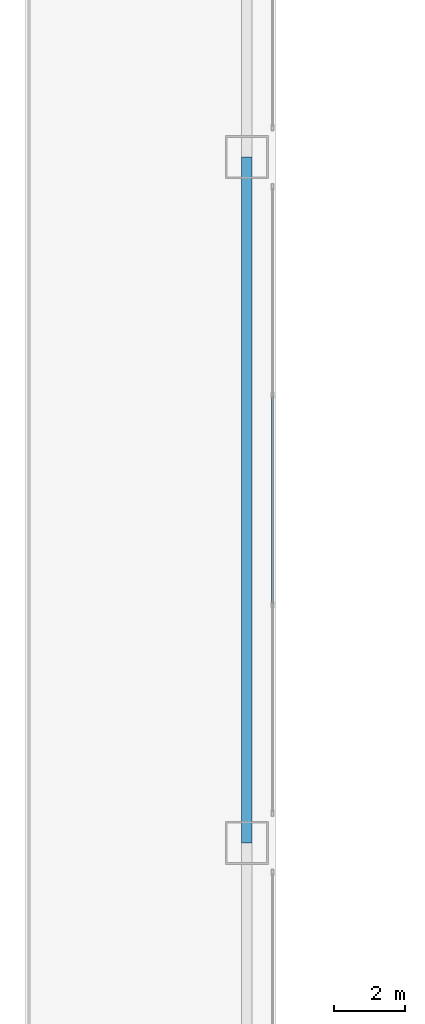
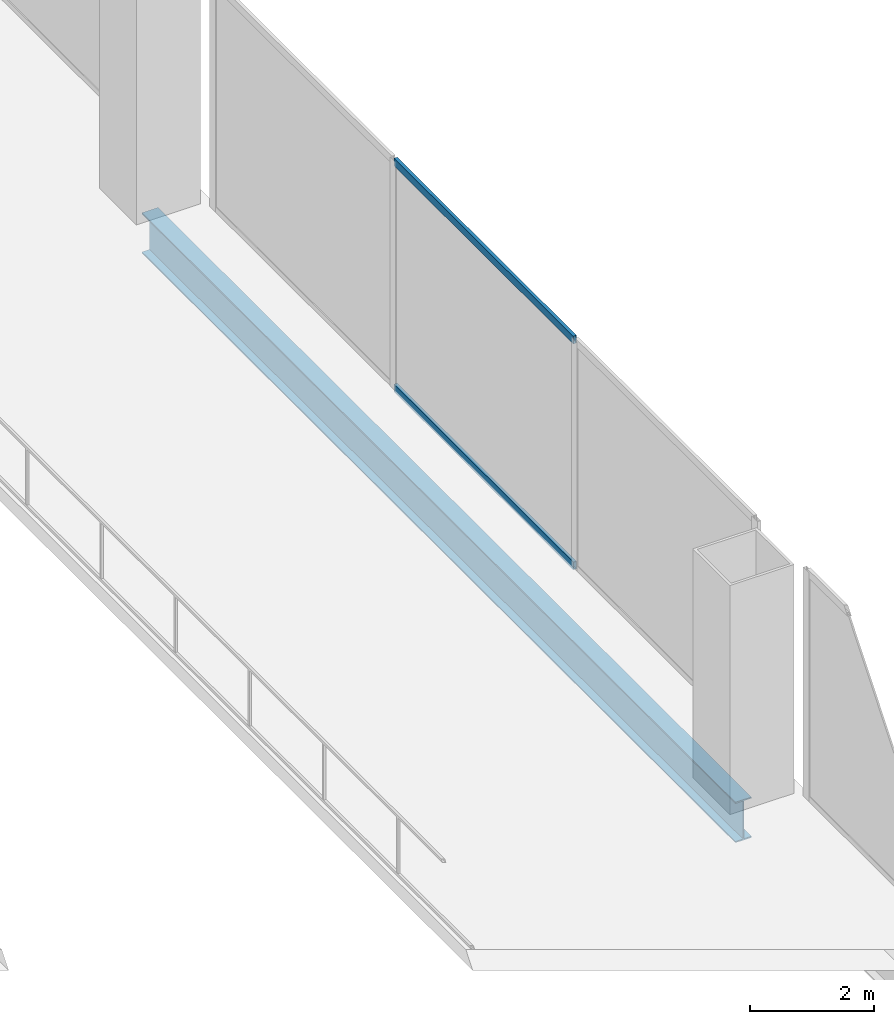
# One storey, part 41 of 58: 2 members, 1 beam, 1 element without a shape of its own.
"""IFC4 building model written with IfcOpenShell, lengths in metres."""

from ifc_helpers import new_model, si_unit, direction, frame, origin, origin_2d, place, context, subcontext, project, spatial, hollow_rectangle, i_section, extrude, source, transform, mapped, material, layer, layer_set, material_profile, profile_set, type_object, element, aggregate, save


model = new_model("IFC4")

# Units and contexts
model_context = context("Model", 3, precision=1e-05, world=origin(), true_north=direction((0.0, 1.0)))
body_context = subcontext(model_context, "Body", "Model", "MODEL_VIEW")
ifc_project = project(units=[si_unit("LENGTHUNIT", "METRE"), si_unit("AREAUNIT", "SQUARE_METRE"), si_unit("VOLUMEUNIT", "CUBIC_METRE"), si_unit("PLANEANGLEUNIT", "RADIAN"), si_unit("MASSUNIT", "GRAM", prefix="KILO"), si_unit("THERMODYNAMICTEMPERATUREUNIT", "KELVIN"), si_unit("POWERUNIT", "WATT")], contexts=[model_context])

# Site, building, storey
site_placement = place(None, origin())
site = spatial("IfcSite", under=ifc_project, at=site_placement, CompositionType="ELEMENT")
building_placement = place(site_placement, origin())
building = spatial("IfcBuilding", under=site, at=building_placement, Name="Yunzhuo Pagoda Commons", CompositionType="ELEMENT")
storey_placement = place(building_placement, origin())
storey = spatial("IfcBuildingStorey", under=building, at=storey_placement, Name="L01", CompositionType="ELEMENT", Elevation=0.0)

# Beam
ifc_material_1 = material(Name="Structural steel Q355B", Category="steel")
ifc_material_profile_1 = material_profile(ifc_material_1, i_section(OverallWidth=0.300048828125, OverallDepth=0.800048828125, WebThickness=0.013916015625, FlangeThickness=0.02587890625, at=origin_2d()), Name="Structural steel Q355B")
ifc_profile_set_1 = profile_set([ifc_material_profile_1], Name="Structural steel Q355B")
beam_type = type_object("IfcBeamType", Name="B-PD2 Beam HN 800x300x14x26", PredefinedType="BEAM", material=ifc_profile_set_1)
shared_shape_1 = source(origin(), body_context, "Body", "SweptSolid", [
    extrude(i_section(OverallWidth=0.300048828125, OverallDepth=0.800048828125, WebThickness=0.013916015625, FlangeThickness=0.02587890625, at=origin_2d()), origin(), (0.0, 0.0, 1.0), 19.199951171875),
])
beam_placement = place(storey_placement, frame((91.199951171875, 62.0, -0.679931640625), z_axis=(0.0, 1.0, 0.0), x_axis=(-1.0, 0.0, 0.0)))
element("IfcBeam", 1, at=beam_placement, inside=storey, type_object=beam_type, Name="L01 podium girder NS 6.4", PredefinedType="BEAM", context=body_context, shape_type="MappedRepresentation", body=[
    mapped(shared_shape_1, transform((0.0, 0.0, 0.0), scale=1.0)),
])

# Curtain wall, members
ifc_material_2 = material(Name="Anodized aluminium 6063-T6", Category="aluminium")
ifc_layer = layer(ifc_material_2, 0.179931640625)
ifc_layer_set = layer_set([ifc_layer], Name="Anodized aluminium 6063-T6")
curtain_wall_type = type_object("IfcCurtainWallType", Name="CW-POD Waterfront Podium Curtain Wall", PredefinedType="NOTDEFINED", material=ifc_layer_set)
curtain_wall_placement = place(storey_placement, origin())
curtain_wall = element("IfcCurtainWall", 2, at=curtain_wall_placement, inside=storey, type_object=curtain_wall_type, Name="L01 curtain wall CW-L01-E4", PredefinedType="NOTDEFINED")
ifc_material_profile_2 = material_profile(ifc_material_2, hollow_rectangle(XDim=0.06005859375, YDim=0.14990234375, WallThickness=0.00390625, at=origin_2d()), Name="Anodized aluminium 6063-T6")
ifc_profile_set_2 = profile_set([ifc_material_profile_2], Name="Anodized aluminium 6063-T6")
member_type = type_object("IfcMemberType", Name="CW-POD-T Transom RHS 150x60x4", PredefinedType="USERDEFINED", material=ifc_profile_set_2)
shared_shape_2 = source(origin(), body_context, "Body", "SweptSolid", [
    extrude(hollow_rectangle(XDim=0.06005859375, YDim=0.14990234375, WallThickness=0.00390625, at=origin_2d()), origin(), (0.0, 0.0, 1.0), 5.801513671875),
])
member_1_placement = place(storey_placement, frame((91.919921875, 68.69921875, 0.030029296875), z_axis=(0.0, 1.0, 0.0), x_axis=(-1.0, 0.0, 0.0)))
member_1 = element("IfcMember", 3, at=member_1_placement, type_object=member_type, Name="CW transom 2.1", ObjectType="TRANSOM", PredefinedType="USERDEFINED", context=body_context, shape_type="MappedRepresentation", body=[
    mapped(shared_shape_2, transform((0.0, 0.0, 0.0), scale=1.0)),
])
member_2_placement = place(storey_placement, frame((91.919921875, 68.69921875, 4.489990234375), z_axis=(0.0, 1.0, 0.0), x_axis=(-1.0, 0.0, 0.0)))
member_2 = element("IfcMember", 4, at=member_2_placement, type_object=member_type, Name="CW transom 2.2", ObjectType="TRANSOM", PredefinedType="USERDEFINED", context=body_context, shape_type="MappedRepresentation", body=[
    mapped(shared_shape_2, transform((0.0, 0.0, 0.0), scale=1.0)),
])
aggregate(curtain_wall, [member_1, member_2])

save(model, "model.ifc")
